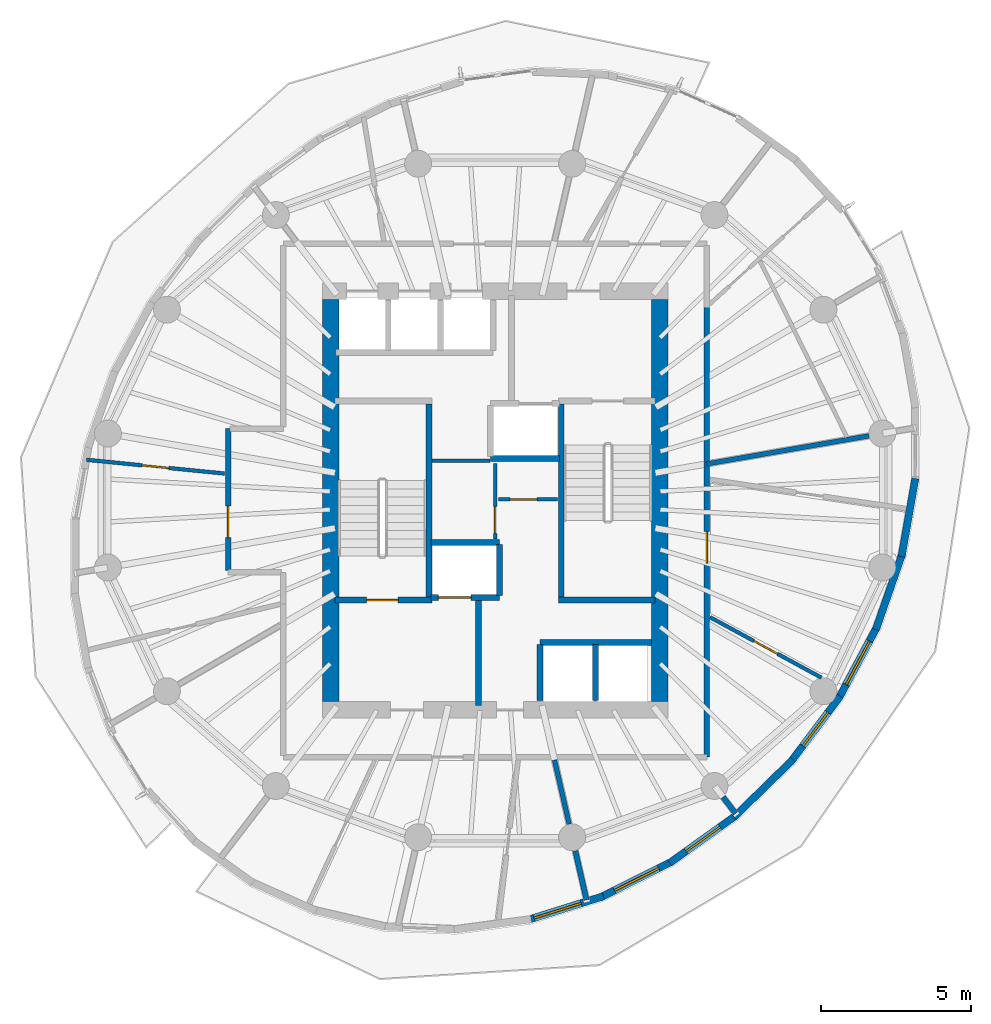
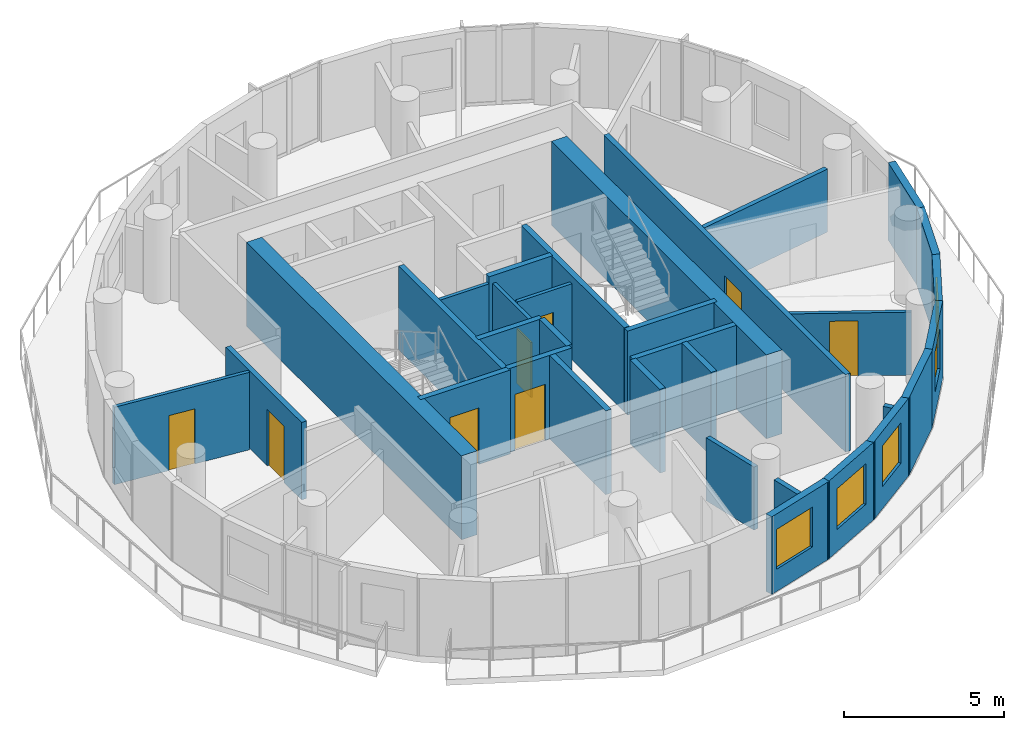
# One storey, part 5 of 10: 33 walls, 8 doors, 5 windows, 13 openings.
"""IFC4 building model written with IfcOpenShell, lengths in metres."""

from ifc_helpers import new_model, si_unit, direction, frame, frame_2d, origin, place, context, subcontext, project, spatial, rectangle, extrude, material, layer, layer_set, type_object, element, fill, save


model = new_model("IFC4")

# Units and contexts
model_context = context("Model", 3, precision=1e-05, world=origin(), true_north=direction((0.0, 1.0)))
body_context = subcontext(model_context, "Body", "Model", "MODEL_VIEW")
ifc_project = project(units=[si_unit("LENGTHUNIT", "METRE"), si_unit("AREAUNIT", "SQUARE_METRE"), si_unit("VOLUMEUNIT", "CUBIC_METRE"), si_unit("PLANEANGLEUNIT", "RADIAN"), si_unit("MASSUNIT", "GRAM", prefix="KILO")], contexts=[model_context])

# Site, building, storey
site_placement = place(None, origin())
site = spatial("IfcSite", under=ifc_project, at=site_placement, CompositionType="ELEMENT")
building_placement = place(site_placement, origin())
building = spatial("IfcBuilding", under=site, at=building_placement, Name="Veldorim Arch Residences", CompositionType="ELEMENT")
storey_placement = place(building_placement, frame((0.0, 0.0, 198.239990234375)))
storey = spatial("IfcBuildingStorey", under=building, at=storey_placement, Name="L59", CompositionType="ELEMENT", Elevation=198.239990234375)

# Wall, opening, door
ifc_material_1 = material(Name="Acoustic Gypsum Board", Category="gypsum")
ifc_layer_1 = layer(ifc_material_1, 0.125, Name="Acoustic Stud Room Partition Wall 125")
ifc_layer_set_1 = layer_set([ifc_layer_1], Name="Acoustic Gypsum Board")
wall_type_1 = type_object("IfcWallType", Name="Acoustic Stud Room Partition Wall 125", PredefinedType="PARTITIONING", material=ifc_layer_set_1)
wall_1_placement = place(storey_placement, frame((32.0, 22.719970703125, 0.0), z_axis=(0.0, 0.0, 1.0), x_axis=(0.0, 1.0, 0.0)))
wall_1 = element("IfcWall", 1, at=wall_1_placement, inside=storey, type_object=wall_type_1, Name="L59 interior wall WL-CA-L59-1", PredefinedType="PARTITIONING", context=body_context, shape_type="SweptSolid", body=[
    extrude(rectangle(XDim=2.52001953125, YDim=0.125, at=frame_2d((1.260009765625, 0.0))), origin(), (0.0, 0.0, 1.0), 2.955078125),
])
opening_1_placement = place(wall_1_placement, frame((0.179931640625, 0.0, 0.0)))
opening_1 = element("IfcOpeningElement", 2, at=opening_1_placement, cuts=wall_1, Name="Opening DR-SVC", PredefinedType="OPENING", context=body_context, shape_type="SweptSolid", body=[
    extrude(rectangle(XDim=0.89990234375, YDim=2.10009765625, at=frame_2d((0.449951171875, 1.050048828125))), frame((0.0, 0.072509765625, 0.0), z_axis=(0.0, -1.0, 0.0), x_axis=(1.0, 0.0, 0.0)), (0.0, 0.0, 1.0), 0.14501953125),
])
ifc_material_2 = material(Name="Fire-Rated Steel", Category="steel")
door_type_1 = type_object("IfcDoorType", Name="Riser, Shelter & Plant Room Rated Steel Door 900x2100", OperationType="SINGLE_SWING_LEFT", PredefinedType="DOOR", material=ifc_material_2)
door_1_placement = place(opening_1_placement, origin())
door_1 = element("IfcDoor", 3, at=door_1_placement, inside=storey, type_object=door_type_1, Name="L59 interior door DR-L59-CA2", OperationType="SINGLE_SWING_RIGHT", OverallHeight=2.10009765625, OverallWidth=0.89990234375, PredefinedType="DOOR", context=body_context, shape_type="SweptSolid", body=[
    extrude(rectangle(XDim=0.89990234375, YDim=2.10009765625, at=frame_2d((0.449951171875, 1.050048828125))), frame((0.0, 0.02490234375, 0.0), z_axis=(0.0, -1.0, 0.0), x_axis=(1.0, 0.0, 0.0)), (0.0, 0.0, 1.0), 0.050048828125),
])
fill(opening_1, door_1)

wall_2_placement = place(storey_placement, frame((32.110107421875, 24.0400390625, 0.0), z_axis=(0.0, 0.0, 1.0), x_axis=(1.0, 0.0, 0.0)))
wall_2 = element("IfcWall", 4, at=wall_2_placement, inside=storey, type_object=wall_type_1, Name="L59 interior wall WL-CA-L59-3", PredefinedType="PARTITIONING", context=body_context, shape_type="SweptSolid", body=[
    extrude(rectangle(XDim=1.969970703125, YDim=0.125, at=frame_2d((0.98486328125, 0.0))), origin(), (0.0, 0.0, 1.0), 2.955078125),
])
opening_2_placement = place(wall_2_placement, frame((0.389892578125, 0.0, 0.0)))
opening_2 = element("IfcOpeningElement", 5, at=opening_2_placement, cuts=wall_2, Name="Opening DR-INT", PredefinedType="OPENING", context=body_context, shape_type="SweptSolid", body=[
    extrude(rectangle(XDim=0.89990234375, YDim=2.10009765625, at=frame_2d((0.449951171875, 1.050048828125))), frame((0.0, 0.072509765625, 0.0), z_axis=(0.0, -1.0, 0.0), x_axis=(1.0, 0.0, 0.0)), (0.0, 0.0, 1.0), 0.14501953125),
])
ifc_material_3 = material(Name="Engineered Timber", Category="wood")
door_type_2 = type_object("IfcDoorType", Name="Apartment Internal Room Timber Door 900x2100", OperationType="SINGLE_SWING_LEFT", PredefinedType="DOOR", material=ifc_material_3)
door_2_placement = place(opening_2_placement, origin())
door_2 = element("IfcDoor", 6, at=door_2_placement, inside=storey, type_object=door_type_2, Name="L59 interior door DR-L59-CA1", OperationType="SINGLE_SWING_LEFT", OverallHeight=2.10009765625, OverallWidth=0.89990234375, PredefinedType="DOOR", context=body_context, shape_type="SweptSolid", body=[
    extrude(rectangle(XDim=0.89990234375, YDim=2.10009765625, at=frame_2d((0.449951171875, 1.050048828125))), frame((0.0, 0.02490234375, 0.0), z_axis=(0.0, -1.0, 0.0), x_axis=(1.0, 0.0, 0.0)), (0.0, 0.0, 1.0), 0.050048828125),
])
fill(opening_2, door_2)

# Wall
wall_3_placement = place(storey_placement, frame((29.889892578125, 25.330078125, 0.0), z_axis=(0.0, 0.0, 1.0), x_axis=(1.0, 0.0, 0.0)))
element("IfcWall", 7, at=wall_3_placement, inside=storey, type_object=wall_type_1, Name="L59 interior wall WL-CA-L59-N", PredefinedType="PARTITIONING", context=body_context, shape_type="SweptSolid", body=[
    extrude(rectangle(XDim=1.940185546875, YDim=0.125, at=frame_2d((0.97021484375, 0.0))), origin(), (0.0, 0.0, 1.0), 2.955078125),
])

# Wall, opening, door
wall_4_placement = place(storey_placement, frame((42.910888671875, 18.075439453125, 0.0), z_axis=(0.0, 0.0, 1.0), x_axis=(-0.878816171277, 0.477160494071, 0.0)))
wall_4 = element("IfcWall", 8, at=wall_4_placement, inside=storey, type_object=wall_type_1, Name="L59 interior wall WL-RES-L59-016", PredefinedType="PARTITIONING", context=body_context, shape_type="SweptSolid", body=[
    extrude(rectangle(XDim=4.239013671875, YDim=0.125, at=frame_2d((2.11962890625, 0.0))), origin(), (0.0, 0.0, 1.0), 2.4033203125),
])
opening_3_placement = place(wall_4_placement, frame((1.669677734375, 0.0, 0.0)))
opening_3 = element("IfcOpeningElement", 9, at=opening_3_placement, cuts=wall_4, Name="Opening DR-INT", PredefinedType="OPENING", context=body_context, shape_type="SweptSolid", body=[
    extrude(rectangle(XDim=0.89990234375, YDim=2.10009765625, at=frame_2d((0.449951171875, 1.050048828125))), frame((0.0, 0.072509765625, 0.0), z_axis=(0.0, -1.0, 0.0), x_axis=(1.0, 0.0, 0.0)), (0.0, 0.0, 1.0), 0.14501953125),
])
door_3_placement = place(opening_3_placement, origin())
door_3 = element("IfcDoor", 10, at=door_3_placement, inside=storey, type_object=door_type_2, Name="L59 interior door DR-RES-L59-006", OperationType="SINGLE_SWING_RIGHT", OverallHeight=2.10009765625, OverallWidth=0.89990234375, PredefinedType="DOOR", context=body_context, shape_type="SweptSolid", body=[
    extrude(rectangle(XDim=0.89990234375, YDim=2.10009765625, at=frame_2d((0.449951171875, 1.050048828125))), frame((0.0, 0.02490234375, 0.0), z_axis=(0.0, -1.0, 0.0), x_axis=(1.0, 0.0, 0.0)), (0.0, 0.0, 1.0), 0.050048828125),
])
fill(opening_3, door_3)

wall_5_placement = place(storey_placement, frame((18.33349609375, 25.361572265625, 0.0), z_axis=(0.0, 0.0, 1.0), x_axis=(0.995074627982, -0.09912862728, 0.0)))
wall_5 = element("IfcWall", 11, at=wall_5_placement, inside=storey, type_object=wall_type_1, Name="L59 interior wall WL-RES-L59-025", PredefinedType="PARTITIONING", context=body_context, shape_type="SweptSolid", body=[
    extrude(rectangle(XDim=4.64013671875, YDim=0.125, at=frame_2d((2.320068359375, 0.0))), origin(), (0.0, 0.0, 1.0), 2.955078125),
])
opening_4_placement = place(wall_5_placement, frame((1.8701171875, 0.0, 0.0)))
opening_4 = element("IfcOpeningElement", 12, at=opening_4_placement, cuts=wall_5, Name="Opening DR-INT", PredefinedType="OPENING", context=body_context, shape_type="SweptSolid", body=[
    extrude(rectangle(XDim=0.89990234375, YDim=2.10009765625, at=frame_2d((0.449951171875, 1.050048828125))), frame((0.0, 0.072509765625, 0.0), z_axis=(0.0, -1.0, 0.0), x_axis=(1.0, 0.0, 0.0)), (0.0, 0.0, 1.0), 0.14501953125),
])
door_4_placement = place(opening_4_placement, origin())
door_4 = element("IfcDoor", 13, at=door_4_placement, inside=storey, type_object=door_type_2, Name="L59 interior door DR-RES-L59-015", OperationType="SINGLE_SWING_LEFT", OverallHeight=2.10009765625, OverallWidth=0.89990234375, PredefinedType="DOOR", context=body_context, shape_type="SweptSolid", body=[
    extrude(rectangle(XDim=0.89990234375, YDim=2.10009765625, at=frame_2d((0.449951171875, 1.050048828125))), frame((0.0, 0.02490234375, 0.0), z_axis=(0.0, -1.0, 0.0), x_axis=(1.0, 0.0, 0.0)), (0.0, 0.0, 1.0), 0.050048828125),
])
fill(opening_4, door_4)

# Walls
ifc_material_4 = material(Name="Lightweight Masonry Block & Gypsum", Category="masonry")
ifc_layer_2 = layer(ifc_material_4, 0.179931640625, Name="Compartment & Corridor Fire-Rated Party Wall 180")
ifc_layer_set_2 = layer_set([ifc_layer_2], Name="Lightweight Masonry Block & Gypsum")
wall_type_2 = type_object("IfcWallType", Name="Compartment & Corridor Fire-Rated Party Wall 180", PredefinedType="PARTITIONING", material=ifc_layer_set_2)
wall_6_placement = place(storey_placement, frame((34.679931640625, 12.282470703125, 0.0), z_axis=(0.0, 0.0, 1.0), x_axis=(0.222978827263, -0.97482328788, 0.0)))
element("IfcWall", 14, at=wall_6_placement, inside=storey, type_object=wall_type_2, Name="L59 interior wall WL-PIER-L59-13", PredefinedType="PARTITIONING", context=body_context, shape_type="SweptSolid", body=[
    extrude(rectangle(XDim=1.678466796875, YDim=0.179931640625, at=frame_2d((0.83935546875, 0.0))), origin(), (0.0, 0.0, 1.0), 2.4033203125),
])
wall_7_placement = place(storey_placement, frame((39.619873046875, 14.08203125, 0.0), z_axis=(0.0, 0.0, 1.0), x_axis=(0.60904199592, -0.793137974885, 0.0)))
element("IfcWall", 15, at=wall_7_placement, inside=storey, type_object=wall_type_2, Name="L59 interior wall WL-PIER-L59-14", PredefinedType="PARTITIONING", context=body_context, shape_type="SweptSolid", body=[
    extrude(rectangle(XDim=0.688232421875, YDim=0.179931640625, at=frame_2d((0.34423828125, 0.0))), origin(), (0.0, 0.0, 1.0), 2.4033203125),
])

# Wall, opening, door
wall_8_placement = place(storey_placement, frame((39.080078125, 30.50830078125, 0.0), z_axis=(0.0, 0.0, 1.0), x_axis=(0.0, -1.0, 0.0)))
wall_8 = element("IfcWall", 16, at=wall_8_placement, inside=storey, type_object=wall_type_2, Name="L59 interior wall WL-RES-L59-003", PredefinedType="PARTITIONING", context=body_context, shape_type="SweptSolid", body=[
    extrude(rectangle(XDim=15.08837890625, YDim=0.179931640625, at=frame_2d((7.544189453125, 0.0))), origin(), (0.0, 0.0, 1.0), 2.955078125),
])
opening_5_placement = place(wall_8_placement, frame((7.548095703125, 0.0, 0.0)))
opening_5 = element("IfcOpeningElement", 17, at=opening_5_placement, cuts=wall_8, Name="Opening DR-FLT", PredefinedType="OPENING", context=body_context, shape_type="SweptSolid", body=[
    extrude(rectangle(XDim=1.050048828125, YDim=2.14990234375, at=frame_2d((0.52490234375, 1.074951171875))), frame((0.0, 0.099853515625, 0.0), z_axis=(0.0, -1.0, 0.0), x_axis=(1.0, 0.0, 0.0)), (0.0, 0.0, 1.0), 0.199951171875),
])
ifc_material_5 = material(Name="Fire-Rated Timber", Category="wood")
door_type_3 = type_object("IfcDoorType", Name="Apartment Entrance Solid-Core Fire Door 1050x2150", OperationType="SINGLE_SWING_LEFT", PredefinedType="DOOR", material=ifc_material_5)
door_5_placement = place(opening_5_placement, origin())
door_5 = element("IfcDoor", 18, at=door_5_placement, inside=storey, type_object=door_type_3, Name="L59 interior door DR-RES-L59-004", OperationType="SINGLE_SWING_RIGHT", OverallHeight=2.14990234375, OverallWidth=1.050048828125, PredefinedType="DOOR", context=body_context, shape_type="SweptSolid", body=[
    extrude(rectangle(XDim=1.050048828125, YDim=2.14990234375, at=frame_2d((0.52490234375, 1.074951171875))), frame((0.0, 0.02490234375, 0.0), z_axis=(0.0, -1.0, 0.0), x_axis=(1.0, 0.0, 0.0)), (0.0, 0.0, 1.0), 0.050048828125),
])
fill(opening_5, door_5)

wall_9_placement = place(storey_placement, frame((23.070068359375, 21.659912109375, 0.0), z_axis=(0.0, 0.0, 1.0), x_axis=(0.0, 1.0, 0.0)))
wall_9 = element("IfcWall", 19, at=wall_9_placement, inside=storey, type_object=wall_type_2, Name="L59 interior wall WL-RES-L59-008", PredefinedType="PARTITIONING", context=body_context, shape_type="SweptSolid", body=[
    extrude(rectangle(XDim=4.739990234375, YDim=0.179931640625, at=frame_2d((2.3701171875, 0.0))), origin(), (0.0, 0.0, 1.0), 2.955078125),
])
opening_6_placement = place(wall_9_placement, frame((1.099853515625, 0.0, 0.0)))
opening_6 = element("IfcOpeningElement", 20, at=opening_6_placement, cuts=wall_9, Name="Opening DR-FLT", PredefinedType="OPENING", context=body_context, shape_type="SweptSolid", body=[
    extrude(rectangle(XDim=1.050048828125, YDim=2.14990234375, at=frame_2d((0.52490234375, 1.074951171875))), frame((0.0, 0.099853515625, 0.0), z_axis=(0.0, -1.0, 0.0), x_axis=(1.0, 0.0, 0.0)), (0.0, 0.0, 1.0), 0.199951171875),
])
door_6_placement = place(opening_6_placement, origin())
door_6 = element("IfcDoor", 21, at=door_6_placement, inside=storey, type_object=door_type_3, Name="L59 interior door DR-RES-L59-013", OperationType="SINGLE_SWING_LEFT", OverallHeight=2.14990234375, OverallWidth=1.050048828125, PredefinedType="DOOR", context=body_context, shape_type="SweptSolid", body=[
    extrude(rectangle(XDim=1.050048828125, YDim=2.14990234375, at=frame_2d((0.52490234375, 1.074951171875))), frame((0.0, 0.02490234375, 0.0), z_axis=(0.0, -1.0, 0.0), x_axis=(1.0, 0.0, 0.0)), (0.0, 0.0, 1.0), 0.050048828125),
])
fill(opening_6, door_6)

# Wall
ifc_material_6 = material(Name="Concrete C50/60", Category="concrete")
ifc_layer_3 = layer(ifc_material_6, 0.199951171875, Name="Core Stair & Lift Shaft Enclosure Wall 200")
ifc_layer_set_3 = layer_set([ifc_layer_3], Name="Concrete C50/60")
wall_type_3 = type_object("IfcWallType", Name="Core Stair & Lift Shaft Enclosure Wall 200", PredefinedType="SHEAR", material=ifc_layer_set_3)
wall_10_placement = place(storey_placement, frame((29.7900390625, 20.780029296875, 0.0), z_axis=(0.0, 0.0, 1.0), x_axis=(0.0, 1.0, 0.0)))
element("IfcWall", 22, at=wall_10_placement, inside=storey, type_object=wall_type_3, Name="L59 shaft wall WL-SHF-L59-ST1-E", PredefinedType="SHEAR", context=body_context, shape_type="SweptSolid", body=[
    extrude(rectangle(XDim=6.43994140625, YDim=0.199951171875, at=frame_2d((3.219970703125, 0.0))), origin(), (0.0, 0.0, 1.0), 3.199951171875),
])

# Wall, opening, door
wall_11_placement = place(storey_placement, frame((26.64990234375, 20.669921875, 0.0), z_axis=(0.0, 0.0, 1.0), x_axis=(1.0, 0.0, 0.0)))
wall_11 = element("IfcWall", 23, at=wall_11_placement, inside=storey, type_object=wall_type_3, Name="L59 shaft wall WL-SHF-L59-ST1-S", PredefinedType="SHEAR", context=body_context, shape_type="SweptSolid", body=[
    extrude(rectangle(XDim=3.239990234375, YDim=0.199951171875, at=frame_2d((1.6201171875, 0.0))), origin(), (0.0, 0.0, 1.0), 3.199951171875),
])
opening_7_placement = place(wall_11_placement, frame((1.054931640625, 0.0, 0.0)))
opening_7 = element("IfcOpeningElement", 24, at=opening_7_placement, cuts=wall_11, Name="Opening DR-ST", PredefinedType="OPENING", context=body_context, shape_type="SweptSolid", body=[
    extrude(rectangle(XDim=1.050048828125, YDim=2.14990234375, at=frame_2d((0.52490234375, 1.074951171875))), frame((0.0, 0.10986328125, 0.0), z_axis=(0.0, -1.0, 0.0), x_axis=(1.0, 0.0, 0.0)), (0.0, 0.0, 1.0), 0.219970703125),
])
ifc_material_7 = material(Name="Fire-Rated Steel", Category="steel")
door_type_4 = type_object("IfcDoorType", Name="Exit Staircase Self-Closing Fire Door 1050x2150", OperationType="SINGLE_SWING_LEFT", PredefinedType="DOOR", material=ifc_material_7)
door_7_placement = place(opening_7_placement, origin())
door_7 = element("IfcDoor", 25, at=door_7_placement, inside=storey, type_object=door_type_4, Name="L59 interior door DR-L59-ST1", OperationType="SINGLE_SWING_LEFT", OverallHeight=2.14990234375, OverallWidth=1.050048828125, PredefinedType="DOOR", context=body_context, shape_type="SweptSolid", body=[
    extrude(rectangle(XDim=1.050048828125, YDim=2.14990234375, at=frame_2d((0.52490234375, 1.074951171875))), frame((0.0, 0.02490234375, 0.0), z_axis=(0.0, -1.0, 0.0), x_axis=(1.0, 0.0, 0.0)), (0.0, 0.0, 1.0), 0.050048828125),
])
fill(opening_7, door_7)

# Walls
wall_12_placement = place(storey_placement, frame((34.2099609375, 20.780029296875, 0.0), z_axis=(0.0, 0.0, 1.0), x_axis=(0.0, 1.0, 0.0)))
element("IfcWall", 26, at=wall_12_placement, inside=storey, type_object=wall_type_3, Name="L59 shaft wall WL-SHF-L59-ST2-W", PredefinedType="SHEAR", context=body_context, shape_type="SweptSolid", body=[
    extrude(rectangle(XDim=6.43994140625, YDim=0.199951171875, at=frame_2d((3.219970703125, 0.0))), origin(), (0.0, 0.0, 1.0), 3.199951171875),
])
wall_13_placement = place(storey_placement, frame((34.110107421875, 20.669921875, 0.0), z_axis=(0.0, 0.0, 1.0), x_axis=(1.0, 0.0, 0.0)))
element("IfcWall", 27, at=wall_13_placement, inside=storey, type_object=wall_type_3, Name="L59 shaft wall WL-SHF-L59-ST2-S", PredefinedType="SHEAR", context=body_context, shape_type="SweptSolid", body=[
    extrude(rectangle(XDim=3.239990234375, YDim=0.199951171875, at=frame_2d((1.6201171875, 0.0))), origin(), (0.0, 0.0, 1.0), 3.199951171875),
])
wall_14_placement = place(storey_placement, frame((31.449951171875, 17.14990234375, 0.0), z_axis=(0.0, 0.0, 1.0), x_axis=(0.0, 1.0, 0.0)))
element("IfcWall", 28, at=wall_14_placement, inside=storey, type_object=wall_type_3, Name="L59 shaft wall WL-FFL1-L59-E", PredefinedType="SHEAR", context=body_context, shape_type="SweptSolid", body=[
    extrude(rectangle(XDim=3.5, YDim=0.199951171875, at=frame_2d((1.75, 0.0))), origin(), (0.0, 0.0, 1.0), 3.199951171875),
])

# Wall, opening, door
wall_15_placement = place(storey_placement, frame((29.85009765625, 20.75, 0.0), z_axis=(0.0, 0.0, 1.0), x_axis=(1.0, 0.0, 0.0)))
wall_15 = element("IfcWall", 29, at=wall_15_placement, inside=storey, type_object=wall_type_3, Name="L59 shaft wall WL-FL01-L59-S", PredefinedType="SHEAR", context=body_context, shape_type="SweptSolid", body=[
    extrude(rectangle(XDim=2.2998046875, YDim=0.199951171875, at=frame_2d((1.14990234375, 0.0))), origin(), (0.0, 0.0, 1.0), 3.199951171875),
])
opening_8_placement = place(wall_15_placement, frame((0.25, 0.0, 0.0)))
opening_8 = element("IfcOpeningElement", 30, at=opening_8_placement, cuts=wall_15, Name="Opening LD-FF", PredefinedType="OPENING", context=body_context, shape_type="SweptSolid", body=[
    extrude(rectangle(XDim=1.10009765625, YDim=2.14990234375, at=frame_2d((0.550048828125, 1.074951171875))), frame((0.0, 0.10986328125, 0.0), z_axis=(0.0, -1.0, 0.0), x_axis=(1.0, 0.0, 0.0)), (0.0, 0.0, 1.0), 0.219970703125),
])
ifc_material_8 = material(Name="Stainless Steel", Category="steel")
door_type_5 = type_object("IfcDoorType", Name="Firefighting Lift Bi-Parting Sliding Landing Door 1100x2150", OperationType="DOUBLE_DOOR_SLIDING", PredefinedType="DOOR", material=ifc_material_8)
door_8_placement = place(opening_8_placement, origin())
door_8 = element("IfcDoor", 31, at=door_8_placement, inside=storey, type_object=door_type_5, Name="L59 lift landing door LD-L59-FL01", OperationType="DOUBLE_DOOR_SLIDING", OverallHeight=2.14990234375, OverallWidth=1.10009765625, PredefinedType="DOOR", context=body_context, shape_type="SweptSolid", body=[
    extrude(rectangle(XDim=1.10009765625, YDim=2.14990234375, at=frame_2d((0.550048828125, 1.074951171875))), frame((0.0, 0.02490234375, 0.0), z_axis=(0.0, -1.0, 0.0), x_axis=(1.0, 0.0, 0.0)), (0.0, 0.0, 1.0), 0.050048828125),
])
fill(opening_8, door_8)

# Walls
wall_16_placement = place(storey_placement, frame((29.85009765625, 22.60009765625, 0.0), z_axis=(0.0, 0.0, 1.0), x_axis=(1.0, 0.0, 0.0)))
element("IfcWall", 32, at=wall_16_placement, inside=storey, type_object=wall_type_3, Name="L59 shaft wall WL-FL01-L59-N", PredefinedType="SHEAR", context=body_context, shape_type="SweptSolid", body=[
    extrude(rectangle(XDim=2.2998046875, YDim=0.199951171875, at=frame_2d((1.14990234375, 0.0))), origin(), (0.0, 0.0, 1.0), 3.199951171875),
])
wall_17_placement = place(storey_placement, frame((32.14990234375, 20.820068359375, 0.0), z_axis=(0.0, 0.0, 1.0), x_axis=(0.0, 1.0, 0.0)))
element("IfcWall", 33, at=wall_17_placement, inside=storey, type_object=wall_type_3, Name="L59 shaft wall WL-FL01-L59-E", PredefinedType="SHEAR", context=body_context, shape_type="SweptSolid", body=[
    extrude(rectangle(XDim=1.7099609375, YDim=0.199951171875, at=frame_2d((0.85498046875, 0.0))), origin(), (0.0, 0.0, 1.0), 3.199951171875),
])
wall_18_placement = place(storey_placement, frame((31.85009765625, 25.39990234375, 0.0), z_axis=(0.0, 0.0, 1.0), x_axis=(1.0, 0.0, 0.0)))
element("IfcWall", 34, at=wall_18_placement, inside=storey, type_object=wall_type_3, Name="L59 shaft wall WL-FL02-L59-S", PredefinedType="SHEAR", context=body_context, shape_type="SweptSolid", body=[
    extrude(rectangle(XDim=2.2998046875, YDim=0.199951171875, at=frame_2d((1.14990234375, 0.0))), origin(), (0.0, 0.0, 1.0), 3.199951171875),
])
wall_19_placement = place(storey_placement, frame((33.5, 19.25, 0.0), z_axis=(0.0, 0.0, 1.0), x_axis=(1.0, 0.0, 0.0)))
element("IfcWall", 35, at=wall_19_placement, inside=storey, type_object=wall_type_3, Name="L59 shaft wall WL-OL-L59-N", PredefinedType="SHEAR", context=body_context, shape_type="SweptSolid", body=[
    extrude(rectangle(XDim=3.719970703125, YDim=0.199951171875, at=frame_2d((1.85986328125, 0.0))), origin(), (0.0, 0.0, 1.0), 3.199951171875),
])
for number, where, z_axis, x_axis, name in (
    (36, (33.5, 17.320068359375, 0.0), (0.0, 0.0, 1.0), (0.0, 1.0, 0.0), "L59 shaft wall WL-OL-L59-W"),
    (37, (35.35009765625, 17.320068359375, 0.0), (0.0, 0.0, 1.0), (0.0, 1.0, 0.0), "L59 shaft wall WL-OL-L59-D1"),
):
    element("IfcWall", number, at=place(storey_placement, frame(where, z_axis=z_axis, x_axis=x_axis)), inside=storey, type_object=wall_type_3, Name=name, PredefinedType="SHEAR", context=body_context, shape_type="SweptSolid", body=[
        extrude(rectangle(XDim=1.85986328125, YDim=0.199951171875, at=frame_2d((0.929931640625, 0.0))), origin(), (0.0, 0.0, 1.0), 3.199951171875),
    ])

# Wall, opening, window
ifc_material_9 = material(Name="Precast concrete C40/50", Category="concrete")
ifc_layer_4 = layer(ifc_material_9, 0.25, Name="Tower Terracotta Spandrel & Pier Wall 250")
ifc_layer_set_4 = layer_set([ifc_layer_4], Name="Precast concrete C40/50")
wall_type_4 = type_object("IfcWallType", Name="Tower Terracotta Spandrel & Pier Wall 250", PredefinedType="SOLIDWALL", material=ifc_layer_set_4)
wall_20_placement = place(storey_placement, frame((35.620849609375, 10.765869140625, 0.0), z_axis=(0.0, 0.0, 1.0), x_axis=(-0.954307768746, -0.298825505122, 0.0)))
wall_20 = element("IfcWall", 38, at=wall_20_placement, inside=storey, type_object=wall_type_4, Name="L59 terracotta facade wall 24", PredefinedType="SOLIDWALL", context=body_context, shape_type="SweptSolid", body=[
    extrude(rectangle(XDim=2.651123046875, YDim=0.25, at=frame_2d((1.32568359375, 0.0))), origin(), (0.0, 0.0, 1.0), 2.9599609375),
])
opening_9_placement = place(wall_20_placement, frame((0.780029296875, 0.0, 0.85009765625)))
opening_9 = element("IfcOpeningElement", 39, at=opening_9_placement, cuts=wall_20, Name="Opening WN-03", PredefinedType="OPENING", context=body_context, shape_type="SweptSolid", body=[
    extrude(rectangle(XDim=1.64990234375, YDim=1.52001953125, at=frame_2d((0.824951171875, 0.760009765625))), frame((0.0, 0.135009765625, 0.0), z_axis=(0.0, -1.0, 0.0), x_axis=(1.0, 0.0, 0.0)), (0.0, 0.0, 1.0), 0.27001953125),
])
ifc_material_10 = material(Name="Laminated Low-E Glass", Category="glass")
window_type_1 = type_object("IfcWindowType", Name="Residential Wide Window 1650x1550", PartitioningType="SINGLE_PANEL", PredefinedType="WINDOW", material=ifc_material_10)
window_1_placement = place(opening_9_placement, origin())
window_1 = element("IfcWindow", 40, at=window_1_placement, inside=storey, type_object=window_type_1, Name="L59 solar-control facade window 24", OverallHeight=1.52001953125, OverallWidth=1.64990234375, PartitioningType="SINGLE_PANEL", PredefinedType="WINDOW", context=body_context, shape_type="SweptSolid", body=[
    extrude(rectangle(XDim=1.64990234375, YDim=1.52001953125, at=frame_2d((0.824951171875, 0.760009765625))), frame((0.0, 0.030029296875, 0.0), z_axis=(0.0, -1.0, 0.0), x_axis=(1.0, 0.0, 0.0)), (0.0, 0.0, 1.0), 0.06005859375),
])
fill(opening_9, window_1)

wall_21_placement = place(storey_placement, frame((37.93359375, 11.9365234375, 0.0), z_axis=(0.0, 0.0, 1.0), x_axis=(-0.893757522153, -0.448550433724, 0.0)))
wall_21 = element("IfcWall", 41, at=wall_21_placement, inside=storey, type_object=wall_type_4, Name="L59 terracotta facade wall 25", PredefinedType="SOLIDWALL", context=body_context, shape_type="SweptSolid", body=[
    extrude(rectangle(XDim=2.701904296875, YDim=0.25, at=frame_2d((1.35107421875, 0.0))), origin(), (0.0, 0.0, 1.0), 2.9599609375),
])
opening_10_placement = place(wall_21_placement, frame((0.52587890625, 0.0, 0.85009765625)))
opening_10 = element("IfcOpeningElement", 42, at=opening_10_placement, cuts=wall_21, Name="Opening WN-03", PredefinedType="OPENING", context=body_context, shape_type="SweptSolid", body=[
    extrude(rectangle(XDim=1.64990234375, YDim=1.550048828125, at=frame_2d((0.824951171875, 0.77490234375))), frame((0.0, 0.135009765625, 0.0), z_axis=(0.0, -1.0, 0.0), x_axis=(1.0, 0.0, 0.0)), (0.0, 0.0, 1.0), 0.27001953125),
])
window_2_placement = place(opening_10_placement, origin())
window_2 = element("IfcWindow", 43, at=window_2_placement, inside=storey, type_object=window_type_1, Name="L59 solar-control facade window 25", OverallHeight=1.550048828125, OverallWidth=1.64990234375, PartitioningType="SINGLE_PANEL", PredefinedType="WINDOW", context=body_context, shape_type="SweptSolid", body=[
    extrude(rectangle(XDim=1.64990234375, YDim=1.550048828125, at=frame_2d((0.824951171875, 0.77490234375))), frame((0.0, 0.030029296875, 0.0), z_axis=(0.0, -1.0, 0.0), x_axis=(1.0, 0.0, 0.0)), (0.0, 0.0, 1.0), 0.06005859375),
])
fill(opening_10, window_2)

wall_22_placement = place(storey_placement, frame((40.06640625, 13.474365234375, 0.0), z_axis=(0.0, 0.0, 1.0), x_axis=(-0.812997900305, -0.58226661771, 0.0)))
wall_22 = element("IfcWall", 44, at=wall_22_placement, inside=storey, type_object=wall_type_4, Name="L59 terracotta facade wall 26", PredefinedType="SOLIDWALL", context=body_context, shape_type="SweptSolid", body=[
    extrude(rectangle(XDim=2.738525390625, YDim=0.25, at=frame_2d((1.369140625, 0.0))), origin(), (0.0, 0.0, 1.0), 2.9599609375),
])
opening_11_placement = place(wall_22_placement, frame((0.6689453125, 0.0, 0.85009765625)))
opening_11 = element("IfcOpeningElement", 45, at=opening_11_placement, cuts=wall_22, Name="Opening WN-02", PredefinedType="OPENING", context=body_context, shape_type="SweptSolid", body=[
    extrude(rectangle(XDim=1.39990234375, YDim=1.550048828125, at=frame_2d((0.699951171875, 0.77490234375))), frame((0.0, 0.135009765625, 0.0), z_axis=(0.0, -1.0, 0.0), x_axis=(1.0, 0.0, 0.0)), (0.0, 0.0, 1.0), 0.27001953125),
])
ifc_material_11 = material(Name="Laminated Low-E Glass", Category="glass")
window_type_2 = type_object("IfcWindowType", Name="Residential Casement Window 1400x1550", PartitioningType="SINGLE_PANEL", PredefinedType="WINDOW", material=ifc_material_11)
window_3_placement = place(opening_11_placement, origin())
window_3 = element("IfcWindow", 46, at=window_3_placement, inside=storey, type_object=window_type_2, Name="L59 solar-control facade window 26", OverallHeight=1.550048828125, OverallWidth=1.39990234375, PartitioningType="SINGLE_PANEL", PredefinedType="WINDOW", context=body_context, shape_type="SweptSolid", body=[
    extrude(rectangle(XDim=1.39990234375, YDim=1.550048828125, at=frame_2d((0.699951171875, 0.77490234375))), frame((0.0, 0.030029296875, 0.0), z_axis=(0.0, -1.0, 0.0), x_axis=(1.0, 0.0, 0.0)), (0.0, 0.0, 1.0), 0.06005859375),
])
fill(opening_11, window_3)

# Wall
wall_23_placement = place(storey_placement, frame((41.95458984375, 15.3330078125, 0.0), z_axis=(0.0, 0.0, 1.0), x_axis=(-0.71485422762, -0.699273503898, 0.0)))
element("IfcWall", 47, at=wall_23_placement, inside=storey, type_object=wall_type_4, Name="L59 terracotta facade wall 27", PredefinedType="SOLIDWALL", context=body_context, shape_type="SweptSolid", body=[
    extrude(rectangle(XDim=2.7578125, YDim=0.25, at=frame_2d((1.37890625, 0.0))), origin(), (0.0, 0.0, 1.0), 2.9599609375),
])

# Wall, opening, window
wall_24_placement = place(storey_placement, frame((43.5400390625, 17.4560546875, 0.0), z_axis=(0.0, 0.0, 1.0), x_axis=(-0.600877762795, -0.799340924874, 0.0)))
wall_24 = element("IfcWall", 48, at=wall_24_placement, inside=storey, type_object=wall_type_4, Name="L59 terracotta facade wall 28", PredefinedType="SOLIDWALL", context=body_context, shape_type="SweptSolid", body=[
    extrude(rectangle(XDim=2.758056640625, YDim=0.25, at=frame_2d((1.37890625, 0.0))), origin(), (0.0, 0.0, 1.0), 2.9599609375),
])
opening_12_placement = place(wall_24_placement, frame((0.678955078125, 0.0, 0.85009765625)))
opening_12 = element("IfcOpeningElement", 49, at=opening_12_placement, cuts=wall_24, Name="Opening WN-02", PredefinedType="OPENING", context=body_context, shape_type="SweptSolid", body=[
    extrude(rectangle(XDim=1.39990234375, YDim=1.550048828125, at=frame_2d((0.699951171875, 0.77490234375))), frame((0.0, 0.135009765625, 0.0), z_axis=(0.0, -1.0, 0.0), x_axis=(1.0, 0.0, 0.0)), (0.0, 0.0, 1.0), 0.27001953125),
])
window_4_placement = place(opening_12_placement, origin())
window_4 = element("IfcWindow", 50, at=window_4_placement, inside=storey, type_object=window_type_2, Name="L59 solar-control facade window 28", OverallHeight=1.550048828125, OverallWidth=1.39990234375, PartitioningType="SINGLE_PANEL", PredefinedType="WINDOW", context=body_context, shape_type="SweptSolid", body=[
    extrude(rectangle(XDim=1.39990234375, YDim=1.550048828125, at=frame_2d((0.699951171875, 0.77490234375))), frame((0.0, 0.030029296875, 0.0), z_axis=(0.0, -1.0, 0.0), x_axis=(1.0, 0.0, 0.0)), (0.0, 0.0, 1.0), 0.06005859375),
])
fill(opening_12, window_4)

wall_25_placement = place(storey_placement, frame((44.774169921875, 19.778564453125, 0.0), z_axis=(0.0, 0.0, 1.0), x_axis=(-0.472035862223, -0.88157934684, 0.0)))
wall_25 = element("IfcWall", 51, at=wall_25_placement, inside=storey, type_object=wall_type_4, Name="L59 terracotta facade wall 29", PredefinedType="SOLIDWALL", context=body_context, shape_type="SweptSolid", body=[
    extrude(rectangle(XDim=2.738525390625, YDim=0.25, at=frame_2d((1.369140625, 0.0))), origin(), (0.0, 0.0, 1.0), 2.9599609375),
])
opening_13_placement = place(wall_25_placement, frame((0.5439453125, 0.0, 0.85009765625)))
opening_13 = element("IfcOpeningElement", 52, at=opening_13_placement, cuts=wall_25, Name="Opening WN-03", PredefinedType="OPENING", context=body_context, shape_type="SweptSolid", body=[
    extrude(rectangle(XDim=1.64990234375, YDim=1.550048828125, at=frame_2d((0.824951171875, 0.77490234375))), frame((0.0, 0.135009765625, 0.0), z_axis=(0.0, -1.0, 0.0), x_axis=(1.0, 0.0, 0.0)), (0.0, 0.0, 1.0), 0.27001953125),
])
window_5_placement = place(opening_13_placement, origin())
window_5 = element("IfcWindow", 53, at=window_5_placement, inside=storey, type_object=window_type_1, Name="L59 solar-control facade window 29", OverallHeight=1.550048828125, OverallWidth=1.64990234375, PartitioningType="SINGLE_PANEL", PredefinedType="WINDOW", context=body_context, shape_type="SweptSolid", body=[
    extrude(rectangle(XDim=1.64990234375, YDim=1.550048828125, at=frame_2d((0.824951171875, 0.77490234375))), frame((0.0, 0.030029296875, 0.0), z_axis=(0.0, -1.0, 0.0), x_axis=(1.0, 0.0, 0.0)), (0.0, 0.0, 1.0), 0.06005859375),
])
fill(opening_13, window_5)

# Walls
wall_26_placement = place(storey_placement, frame((45.619140625, 22.229736328125, 0.0), z_axis=(0.0, 0.0, 1.0), x_axis=(-0.329021781096, -0.94432233245, 0.0)))
element("IfcWall", 54, at=wall_26_placement, inside=storey, type_object=wall_type_4, Name="L59 terracotta facade wall 30", PredefinedType="SOLIDWALL", context=body_context, shape_type="SweptSolid", body=[
    extrude(rectangle(XDim=2.70166015625, YDim=0.25, at=frame_2d((1.350830078125, 0.0))), origin(), (0.0, 0.0, 1.0), 2.9599609375),
])
wall_27_placement = place(storey_placement, frame((46.049560546875, 24.734619140625, 0.0), z_axis=(0.0, 0.0, 1.0), x_axis=(-0.172755592744, -0.984964722808, 0.0)))
element("IfcWall", 55, at=wall_27_placement, inside=storey, type_object=wall_type_4, Name="L59 terracotta facade wall 31", PredefinedType="SOLIDWALL", context=body_context, shape_type="SweptSolid", body=[
    extrude(rectangle(XDim=2.651123046875, YDim=0.25, at=frame_2d((1.32568359375, 0.0))), origin(), (0.0, 0.0, 1.0), 2.9599609375),
])
ifc_material_12 = material(Name="Concrete C50/60", Category="concrete")
ifc_layer_5 = layer(ifc_material_12, 0.5, Name="Upper Central Core Shear Wall 560")
ifc_layer_set_5 = layer_set([ifc_layer_5], Name="Concrete C50/60")
wall_type_5 = type_object("IfcWallType", Name="Upper Central Core Shear Wall 560", PredefinedType="SHEAR", material=ifc_layer_set_5)
for number, where, z_axis, x_axis, name in (
    (56, (26.5, 17.280029296875, 0.0), (0.0, 0.0, 1.0), (0.0, 1.0, 0.0), "L59 central core west shear wall"),
    (57, (37.5, 17.280029296875, 0.0), (0.0, 0.0, 1.0), (0.0, 1.0, 0.0), "L59 central core east shear wall"),
):
    element("IfcWall", number, at=place(storey_placement, frame(where, z_axis=z_axis, x_axis=x_axis)), inside=storey, type_object=wall_type_5, Name=name, PredefinedType="SHEAR", context=body_context, shape_type="SweptSolid", body=[
        extrude(rectangle(XDim=13.43994140625, YDim=0.56005859375, at=frame_2d((6.719970703125, 0.0))), origin(), (0.0, 0.0, 1.0), 3.199951171875),
    ])
ifc_material_13 = material(Name="Moisture-Resistant Gypsum & Stud", Category="gypsum")
ifc_layer_6 = layer(ifc_material_13, 0.159912109375, Name="Wet-Area Moisture-Resistant Plumbing Wall 160")
ifc_layer_set_6 = layer_set([ifc_layer_6], Name="Moisture-Resistant Gypsum & Stud")
wall_type_6 = type_object("IfcWallType", Name="Wet-Area Moisture-Resistant Plumbing Wall 160", PredefinedType="PLUMBINGWALL", material=ifc_layer_set_6)
wall_28_placement = place(storey_placement, frame((33.984619140625, 15.322509765625, 0.0), z_axis=(0.0, 0.0, 1.0), x_axis=(0.222969522248, -0.974825416241, 0.0)))
element("IfcWall", 58, at=wall_28_placement, inside=storey, type_object=wall_type_6, Name="L59 interior wall WL-RES-L59-013", PredefinedType="PLUMBINGWALL", context=body_context, shape_type="SweptSolid", body=[
    extrude(rectangle(XDim=2.19873046875, YDim=0.159912109375, at=frame_2d((1.099365234375, 0.0))), origin(), (0.0, 0.0, 1.0), 2.4033203125),
])
wall_29_placement = place(storey_placement, frame((39.080078125, 25.224609375, 0.0), z_axis=(0.0, 0.0, 1.0), x_axis=(0.985359973695, 0.170486721591, 0.0)))
element("IfcWall", 59, at=wall_29_placement, inside=storey, type_object=wall_type_6, Name="L59 interior wall WL-RES-L59-017", PredefinedType="PLUMBINGWALL", context=body_context, shape_type="SweptSolid", body=[
    extrude(rectangle(XDim=5.4990234375, YDim=0.159912109375, at=frame_2d((2.74951171875, 0.0))), origin(), (0.0, 0.0, 1.0), 2.4033203125),
])

save(model, "model.ifc")
